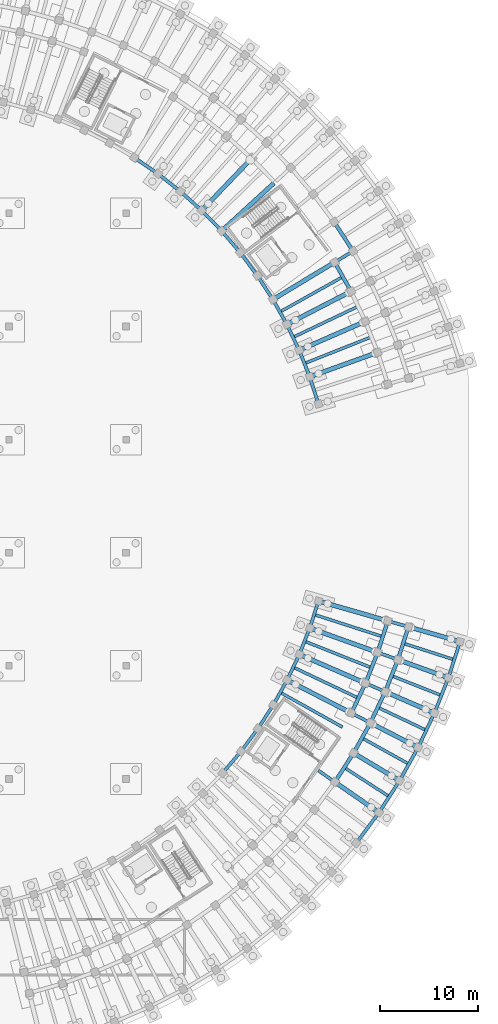
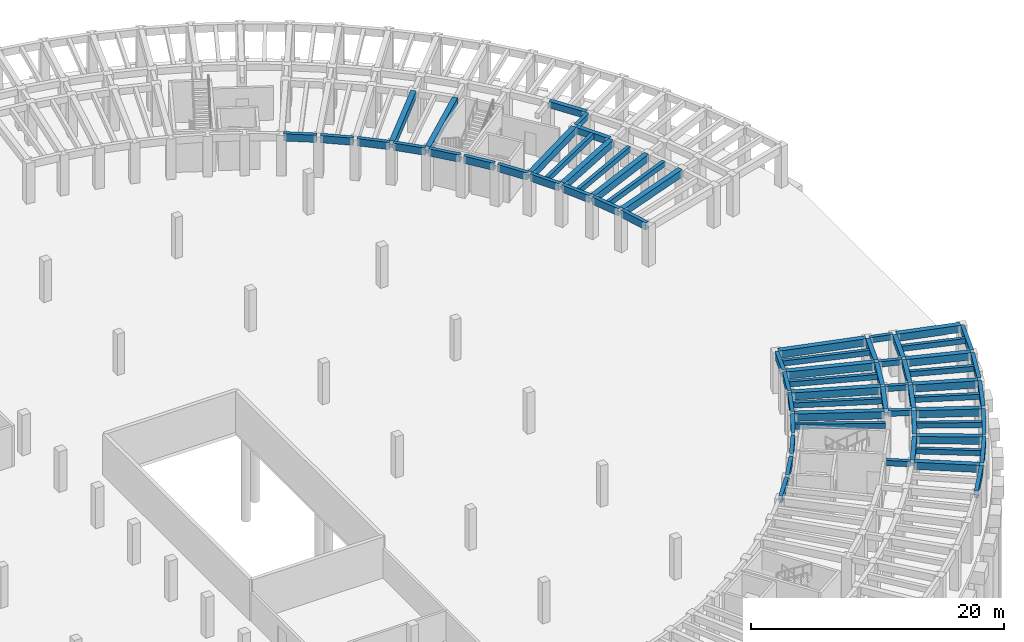
# One storey, part 15 of 29: 68 beams.
"""IFC4 building model written with IfcOpenShell, lengths in metres."""

from ifc_helpers import new_model, si_unit, direction, frame, origin, origin_2d, place, context, subcontext, project, spatial, rectangle, extrude, material, material_profile, profile_set, type_object, element, save


model = new_model("IFC4")

# Units and contexts
model_context = context("Model", 3, precision=1e-05, world=origin(), true_north=direction((0.0, 1.0)))
body_context = subcontext(model_context, "Body", "Model", "MODEL_VIEW")
ifc_project = project(units=[si_unit("LENGTHUNIT", "METRE"), si_unit("AREAUNIT", "SQUARE_METRE"), si_unit("VOLUMEUNIT", "CUBIC_METRE"), si_unit("PLANEANGLEUNIT", "RADIAN"), si_unit("MASSUNIT", "GRAM", prefix="KILO")], contexts=[model_context])

# Site, building, storey
site_placement = place(None, origin())
site = spatial("IfcSite", under=ifc_project, at=site_placement, CompositionType="ELEMENT")
building_placement = place(site_placement, origin())
building = spatial("IfcBuilding", under=site, at=building_placement, Name="Tanwirah Colonnade Gardens", CompositionType="ELEMENT")
storey_placement = place(building_placement, frame((0.0, 0.0, -4.199951171875)))
storey = spatial("IfcBuildingStorey", under=building, at=storey_placement, Name="B1", CompositionType="ELEMENT", Elevation=-4.199951171875)

# Beams
ifc_material_1 = material(Name="Precast concrete C40/50", Category="concrete")
ifc_material_profile_1 = material_profile(ifc_material_1, rectangle(XDim=0.320068359375, YDim=0.52001953125, at=origin_2d()), Name="PC-BM 320x520")
ifc_profile_set_1 = profile_set([ifc_material_profile_1], Name="Precast concrete C40/50")
beam_type_1 = type_object("IfcBeamType", Name="BM-PC320", PredefinedType="BEAM", material=ifc_profile_set_1)
beam_1_placement = place(storey_placement, frame((165.520751953125, 87.068359375, 3.659912109375), z_axis=(0.856174920318, 0.516686080534, 0.0), x_axis=(-0.516686080534, 0.856174920318, 0.0)))
element("IfcBeam", 1, at=beam_1_placement, inside=storey, type_object=beam_type_1, Name="Block B B1 Corridor Tie Beam 4", PredefinedType="BEAM", context=body_context, shape_type="SweptSolid", body=[
    extrude(rectangle(XDim=0.320068359375, YDim=0.52001953125, at=origin_2d()), origin(), (0.0, 0.0, 1.0), 1.89990234375),
])
beam_2_placement = place(storey_placement, frame((163.7255859375, 34.860107421875, 3.659912109375), z_axis=(0.821669163201, -0.569964723684, 0.0), x_axis=(0.569964723684, 0.821669163201, 0.0)))
element("IfcBeam", 2, at=beam_2_placement, inside=storey, type_object=beam_type_1, Name="Block D B1 Corridor Tie Beam 11", PredefinedType="BEAM", context=body_context, shape_type="SweptSolid", body=[
    extrude(rectangle(XDim=0.320068359375, YDim=0.52001953125, at=origin_2d()), origin(), (0.0, 0.0, 1.0), 1.900146484375),
])
beam_3_placement = place(storey_placement, frame((167.22900390625, 40.690673828125, 3.659912109375), z_axis=(0.888965044602, -0.457975053334, 0.0), x_axis=(0.457975053334, 0.888965044602, 0.0)))
element("IfcBeam", 3, at=beam_3_placement, inside=storey, type_object=beam_type_1, Name="Block D B1 Corridor Tie Beam 13", PredefinedType="BEAM", context=body_context, shape_type="SweptSolid", body=[
    extrude(rectangle(XDim=0.320068359375, YDim=0.52001953125, at=origin_2d()), origin(), (0.0, 0.0, 1.0), 1.89990234375),
])
beam_4_placement = place(storey_placement, frame((168.68701171875, 43.76513671875, 3.659912109375), z_axis=(0.917025109963, -0.398829471952, 0.0), x_axis=(0.398829471952, 0.917025109963, 0.0)))
element("IfcBeam", 4, at=beam_4_placement, inside=storey, type_object=beam_type_1, Name="Block D B1 Corridor Tie Beam 14", PredefinedType="BEAM", context=body_context, shape_type="SweptSolid", body=[
    extrude(rectangle(XDim=0.320068359375, YDim=0.52001953125, at=origin_2d()), origin(), (0.0, 0.0, 1.0), 1.900146484375),
])
for number, where, z_axis, x_axis, name in (
    (5, (169.941162109375, 46.92822265625, 3.659912109375), (0.941214575511, -0.337809299525, 0.0), (0.337809299525, 0.941214575511, 0.0), "Block D B1 Corridor Tie Beam 15"),
    (6, (170.985595703125, 50.166748046875, 3.659912109375), (0.961266538157, -0.275620468433, 0.0), (0.275620468433, 0.961266538157, 0.0), "Block D B1 Corridor Tie Beam 16"),
):
    element("IfcBeam", number, at=place(storey_placement, frame(where, z_axis=z_axis, x_axis=x_axis)), inside=storey, type_object=beam_type_1, Name=name, PredefinedType="BEAM", context=body_context, shape_type="SweptSolid", body=[
        extrude(rectangle(XDim=0.320068359375, YDim=0.52001953125, at=origin_2d()), origin(), (0.0, 0.0, 1.0), 1.89990234375),
    ])
ifc_material_profile_2 = material_profile(ifc_material_1, rectangle(XDim=0.3798828125, YDim=0.6201171875, at=origin_2d()), Name="PC-BM 380x620")
ifc_profile_set_2 = profile_set([ifc_material_profile_2], Name="Precast concrete C40/50")
beam_type_2 = type_object("IfcBeamType", Name="BM-PC380", PredefinedType="BEAM", material=ifc_profile_set_2)
beam_5_placement = place(storey_placement, frame((166.98779296875, 84.138671875, 3.60986328125), z_axis=(-0.488200372352, 0.872731571811, 0.0), x_axis=(-0.872731571811, -0.488200372352, 0.0)))
element("IfcBeam", 7, at=beam_5_placement, inside=storey, type_object=beam_type_2, Name="Block B B1 Circumferential Beam 3-R1", PredefinedType="BEAM", context=body_context, shape_type="SweptSolid", body=[
    extrude(rectangle(XDim=0.3798828125, YDim=0.6201171875, at=origin_2d()), origin(), (0.0, 0.0, 1.0), 3.117919921875),
])
beam_6_placement = place(storey_placement, frame((167.194091796875, 88.25341796875, 3.60986328125), z_axis=(-0.544627998385, 0.838677735114, 0.0), x_axis=(-0.838677735114, -0.544627998385, 0.0)))
element("IfcBeam", 8, at=beam_6_placement, inside=storey, type_object=beam_type_2, Name="Block B B1 Circumferential Beam 4-R2", PredefinedType="BEAM", context=body_context, shape_type="SweptSolid", body=[
    extrude(rectangle(XDim=0.3798828125, YDim=0.6201171875, at=origin_2d()), origin(), (0.0, 0.0, 1.0), 3.262939453125),
])
for number, where, z_axis, x_axis, name in (
    (9, (165.491455078125, 33.817626953125, 3.60986328125), (0.542825891173, 0.839845254718, 0.0), (-0.839845254718, 0.542825891173, 0.0), "Block D B1 Circumferential Beam 11-R2"),
    (10, (167.40283203125, 36.793212890625, 3.60986328125), (0.486712025227, 0.873562478875, 0.0), (-0.873562478875, 0.486712025227, 0.0), "Block D B1 Circumferential Beam 12-R2"),
):
    element("IfcBeam", number, at=place(storey_placement, frame(where, z_axis=z_axis, x_axis=x_axis)), inside=storey, type_object=beam_type_2, Name=name, PredefinedType="BEAM", context=body_context, shape_type="SweptSolid", body=[
        extrude(rectangle(XDim=0.3798828125, YDim=0.6201171875, at=origin_2d()), origin(), (0.0, 0.0, 1.0), 3.23681640625),
    ])
beam_7_placement = place(storey_placement, frame((167.159912109375, 40.894775390625, 3.60986328125), z_axis=(0.428520598641, 0.903532011907, 0.0), x_axis=(-0.903532011907, 0.428520598641, 0.0)))
element("IfcBeam", 11, at=beam_7_placement, inside=storey, type_object=beam_type_2, Name="Block D B1 Circumferential Beam 13-R1", PredefinedType="BEAM", context=body_context, shape_type="SweptSolid", body=[
    extrude(rectangle(XDim=0.3798828125, YDim=0.6201171875, at=origin_2d()), origin(), (0.0, 0.0, 1.0), 3.093017578125),
])
beam_8_placement = place(storey_placement, frame((169.11572265625, 39.887451171875, 3.60986328125), z_axis=(0.428562893949, 0.903511951183, 0.0), x_axis=(-0.903511951183, 0.428562893949, 0.0)))
element("IfcBeam", 12, at=beam_8_placement, inside=storey, type_object=beam_type_2, Name="Block D B1 Circumferential Beam 13-R2", PredefinedType="BEAM", context=body_context, shape_type="SweptSolid", body=[
    extrude(rectangle(XDim=0.3798828125, YDim=0.6201171875, at=origin_2d()), origin(), (0.0, 0.0, 1.0), 3.23681640625),
])
beam_9_placement = place(storey_placement, frame((168.604736328125, 43.96435546875, 3.60986328125), z_axis=(0.368544574427, 0.929610077753, 0.0), x_axis=(-0.929610077753, 0.368544574427, 0.0)))
element("IfcBeam", 13, at=beam_9_placement, inside=storey, type_object=beam_type_2, Name="Block D B1 Circumferential Beam 14-R1", PredefinedType="BEAM", context=body_context, shape_type="SweptSolid", body=[
    extrude(rectangle(XDim=0.3798828125, YDim=0.6201171875, at=origin_2d()), origin(), (0.0, 0.0, 1.0), 3.093017578125),
])
beam_10_placement = place(storey_placement, frame((170.622314453125, 43.087158203125, 3.60986328125), z_axis=(0.368527954052, 0.929616666741, 0.0), x_axis=(-0.929616666741, 0.368527954052, 0.0)))
element("IfcBeam", 14, at=beam_10_placement, inside=storey, type_object=beam_type_2, Name="Block D B1 Circumferential Beam 14-R2", PredefinedType="BEAM", context=body_context, shape_type="SweptSolid", body=[
    extrude(rectangle(XDim=0.3798828125, YDim=0.6201171875, at=origin_2d()), origin(), (0.0, 0.0, 1.0), 3.23681640625),
])
beam_11_placement = place(storey_placement, frame((169.845947265625, 47.121826171875, 3.60986328125), z_axis=(0.306977410573, 0.951716801048, 0.0), x_axis=(-0.951716801048, 0.306977410573, 0.0)))
element("IfcBeam", 15, at=beam_11_placement, inside=storey, type_object=beam_type_2, Name="Block D B1 Circumferential Beam 15-R1", PredefinedType="BEAM", context=body_context, shape_type="SweptSolid", body=[
    extrude(rectangle(XDim=0.3798828125, YDim=0.6201171875, at=origin_2d()), origin(), (0.0, 0.0, 1.0), 3.093017578125),
])
beam_12_placement = place(storey_placement, frame((171.91650390625, 46.37841796875, 3.60986328125), z_axis=(0.306980742305, 0.951715726388, 0.0), x_axis=(-0.951715726388, 0.306980742305, 0.0)))
element("IfcBeam", 16, at=beam_12_placement, inside=storey, type_object=beam_type_2, Name="Block D B1 Circumferential Beam 15-R2", PredefinedType="BEAM", context=body_context, shape_type="SweptSolid", body=[
    extrude(rectangle(XDim=0.3798828125, YDim=0.6201171875, at=origin_2d()), origin(), (0.0, 0.0, 1.0), 3.23681640625),
])
ifc_material_2 = material(Name="Precast concrete C45/55", Category="concrete")
ifc_material_profile_3 = material_profile(ifc_material_2, rectangle(XDim=0.449951171875, YDim=0.699951171875, at=origin_2d()), Name="PC-BM 450x700")
ifc_profile_set_3 = profile_set([ifc_material_profile_3], Name="Precast concrete C45/55")
beam_type_3 = type_object("IfcBeamType", Name="BM-PC450", PredefinedType="BEAM", material=ifc_profile_set_3)
beam_13_placement = place(storey_placement, frame((169.650390625, 77.69384765625, 3.570068359375), z_axis=(-0.941016219432, -0.338361455792, 0.0), x_axis=(0.338361455792, -0.941016219432, 0.0)))
element("IfcBeam", 17, at=beam_13_placement, inside=storey, type_object=beam_type_3, Name="Block B B1 Inner Radial Precast Girder 1", PredefinedType="BEAM", context=body_context, shape_type="SweptSolid", body=[
    extrude(rectangle(XDim=0.449951171875, YDim=0.699951171875, at=origin_2d()), origin(), (0.0, 0.0, 1.0), 7.099853515625),
])
for number, where, z_axis, x_axis, name in (
    (18, (168.39208984375, 80.861328125, 3.570068359375), (-0.916678201221, -0.399626169571, 0.0), (0.399626169571, -0.916678201221, 0.0), "Block B B1 Inner Radial Precast Girder 2"),
    (19, (166.927734375, 83.93896484375, 3.570068359375), (-0.888342925962, -0.459180624475, 0.0), (0.459180624475, -0.888342925962, 0.0), "Block B B1 Inner Radial Precast Girder 3"),
    (20, (165.263916015625, 86.913330078125, 3.570068359375), (-0.856176383701, -0.516683655628, 0.0), (0.516683655628, -0.856176383701, 0.0), "Block B B1 Inner Radial Precast Girder 4"),
    (21, (159.151123046875, 95.091064453125, 3.570068359375), (-0.737918718777, -0.674889594288, 0.0), (0.674889594288, -0.737918718777, 0.0), "Block B B1 Inner Radial Precast Girder 7"),
):
    element("IfcBeam", number, at=place(storey_placement, frame(where, z_axis=z_axis, x_axis=x_axis)), inside=storey, type_object=beam_type_3, Name=name, PredefinedType="BEAM", context=body_context, shape_type="SweptSolid", body=[
        extrude(rectangle(XDim=0.449951171875, YDim=0.699951171875, at=origin_2d()), origin(), (0.0, 0.0, 1.0), 7.10009765625),
    ])
beam_14_placement = place(storey_placement, frame((156.769287109375, 97.52880859375, 3.570068359375), z_axis=(-0.691867272012, -0.722024707278, 0.0), x_axis=(0.722024707278, -0.691867272012, 0.0)))
element("IfcBeam", 22, at=beam_14_placement, inside=storey, type_object=beam_type_3, Name="Block B B1 Inner Radial Precast Girder 8", PredefinedType="BEAM", context=body_context, shape_type="SweptSolid", body=[
    extrude(rectangle(XDim=0.449951171875, YDim=0.699951171875, at=origin_2d()), origin(), (0.0, 0.0, 1.0), 7.099853515625),
])
beam_15_placement = place(storey_placement, frame((165.533203125, 33.606201171875, 3.570068359375), z_axis=(0.821644204852, -0.570000702309, 0.0), x_axis=(0.570000702309, 0.821644204852, 0.0)))
element("IfcBeam", 23, at=beam_15_placement, inside=storey, type_object=beam_type_3, Name="Block D B1 Outer Radial Precast Girder 11", PredefinedType="BEAM", context=body_context, shape_type="SweptSolid", body=[
    extrude(rectangle(XDim=0.449951171875, YDim=0.699951171875, at=origin_2d()), origin(), (0.0, 0.0, 1.0), 5.2001953125),
])
beam_16_placement = place(storey_placement, frame((167.45849609375, 36.5849609375, 3.570068359375), z_axis=(0.857165483371, -0.515041099445, 0.0), x_axis=(0.515041099445, 0.857165483371, 0.0)))
element("IfcBeam", 24, at=beam_16_placement, inside=storey, type_object=beam_type_3, Name="Block D B1 Outer Radial Precast Girder 12", PredefinedType="BEAM", context=body_context, shape_type="SweptSolid", body=[
    extrude(rectangle(XDim=0.449951171875, YDim=0.699951171875, at=origin_2d()), origin(), (0.0, 0.0, 1.0), 5.199951171875),
])
beam_17_placement = place(storey_placement, frame((166.962158203125, 40.827880859375, 3.570068359375), z_axis=(-0.889012732153, 0.457882476265, 0.0), x_axis=(-0.457882476265, -0.889012732153, 0.0)))
element("IfcBeam", 25, at=beam_17_placement, inside=storey, type_object=beam_type_3, Name="Block D B1 Inner Radial Precast Girder 13", PredefinedType="BEAM", context=body_context, shape_type="SweptSolid", body=[
    extrude(rectangle(XDim=0.449951171875, YDim=0.699951171875, at=origin_2d()), origin(), (0.0, 0.0, 1.0), 7.10009765625),
])
beam_18_placement = place(storey_placement, frame((169.184814453125, 39.683349609375, 3.570068359375), z_axis=(0.889001198624, -0.457904868771, 0.0), x_axis=(0.457904868771, 0.889001198624, 0.0)))
element("IfcBeam", 26, at=beam_18_placement, inside=storey, type_object=beam_type_3, Name="Block D B1 Outer Radial Precast Girder 13", PredefinedType="BEAM", context=body_context, shape_type="SweptSolid", body=[
    extrude(rectangle(XDim=0.449951171875, YDim=0.699951171875, at=origin_2d()), origin(), (0.0, 0.0, 1.0), 5.199951171875),
])
beam_19_placement = place(storey_placement, frame((168.412109375, 43.884765625, 3.570068359375), z_axis=(-0.917065682823, 0.398736170154, 0.0), x_axis=(-0.398736170154, -0.917065682823, 0.0)))
element("IfcBeam", 27, at=beam_19_placement, inside=storey, type_object=beam_type_3, Name="Block D B1 Inner Radial Precast Girder 14", PredefinedType="BEAM", context=body_context, shape_type="SweptSolid", body=[
    extrude(rectangle(XDim=0.449951171875, YDim=0.699951171875, at=origin_2d()), origin(), (0.0, 0.0, 1.0), 7.10009765625),
])
beam_20_placement = place(storey_placement, frame((170.70458984375, 42.8876953125, 3.570068359375), z_axis=(0.917063338398, -0.398741562126, 0.0), x_axis=(0.398741562126, 0.917063338398, 0.0)))
element("IfcBeam", 28, at=beam_20_placement, inside=storey, type_object=beam_type_3, Name="Block D B1 Outer Radial Precast Girder 14", PredefinedType="BEAM", context=body_context, shape_type="SweptSolid", body=[
    extrude(rectangle(XDim=0.449951171875, YDim=0.699951171875, at=origin_2d()), origin(), (0.0, 0.0, 1.0), 5.2001953125),
])
beam_21_placement = place(storey_placement, frame((169.65869140625, 47.02978515625, 3.570068359375), z_axis=(-0.941174201015, 0.33792177104, 0.0), x_axis=(-0.33792177104, -0.941174201015, 0.0)))
element("IfcBeam", 29, at=beam_21_placement, inside=storey, type_object=beam_type_3, Name="Block D B1 Inner Radial Precast Girder 15", PredefinedType="BEAM", context=body_context, shape_type="SweptSolid", body=[
    extrude(rectangle(XDim=0.449951171875, YDim=0.699951171875, at=origin_2d()), origin(), (0.0, 0.0, 1.0), 7.099853515625),
])
beam_22_placement = place(storey_placement, frame((172.01171875, 46.184814453125, 3.570068359375), z_axis=(0.941179739589, -0.337906344698, 0.0), x_axis=(0.337906344698, 0.941179739589, 0.0)))
element("IfcBeam", 30, at=beam_22_placement, inside=storey, type_object=beam_type_3, Name="Block D B1 Outer Radial Precast Girder 15", PredefinedType="BEAM", context=body_context, shape_type="SweptSolid", body=[
    extrude(rectangle(XDim=0.449951171875, YDim=0.699951171875, at=origin_2d()), origin(), (0.0, 0.0, 1.0), 5.199951171875),
])
beam_23_placement = place(storey_placement, frame((170.697265625, 50.24951171875, 3.570068359375), z_axis=(-0.961261397636, 0.275638396117, 0.0), x_axis=(-0.275638396117, -0.961261397636, 0.0)))
element("IfcBeam", 31, at=beam_23_placement, inside=storey, type_object=beam_type_3, Name="Block D B1 Inner Radial Precast Girder 16", PredefinedType="BEAM", context=body_context, shape_type="SweptSolid", body=[
    extrude(rectangle(XDim=0.449951171875, YDim=0.699951171875, at=origin_2d()), origin(), (0.0, 0.0, 1.0), 7.10009765625),
])
beam_24_placement = place(storey_placement, frame((173.100341796875, 49.560546875, 3.570068359375), z_axis=(0.961259519271, -0.275644946646, 0.0), x_axis=(0.275644946646, 0.961259519271, 0.0)))
element("IfcBeam", 32, at=beam_24_placement, inside=storey, type_object=beam_type_3, Name="Block D B1 Outer Radial Precast Girder 16", PredefinedType="BEAM", context=body_context, shape_type="SweptSolid", body=[
    extrude(rectangle(XDim=0.449951171875, YDim=0.699951171875, at=origin_2d()), origin(), (0.0, 0.0, 1.0), 5.199951171875),
])
ifc_material_profile_4 = material_profile(ifc_material_1, rectangle(XDim=0.300048828125, YDim=0.5, at=origin_2d()), Name="PC-JST 300x500")
ifc_profile_set_4 = profile_set([ifc_material_profile_4], Name="Precast concrete C40/50")
beam_type_4 = type_object("IfcBeamType", Name="JST-PC300", PredefinedType="JOIST", material=ifc_profile_set_4)
for number, where, z_axis, x_axis, name in (
    (33, (162.4208984375, 76.655517578125, 3.669921875), (0.929348880779, 0.369202732649, 0.0), (-0.369202732649, 0.929348880779, 0.0), "Block B B1 Inner Precast Floor Joist 1"),
    (34, (161.246826171875, 79.348876953125, 3.669921875), (0.903005429363, 0.429629136048, 0.0), (-0.429629136048, 0.903005429363, 0.0), "Block B B1 Inner Precast Floor Joist 2"),
    (35, (159.897705078125, 81.958984375, 3.669921875), (0.872726875563, 0.488208767506, 0.0), (-0.488208767506, 0.872726875563, 0.0), "Block B B1 Inner Precast Floor Joist 3"),
):
    element("IfcBeam", number, at=place(storey_placement, frame(where, z_axis=z_axis, x_axis=x_axis)), inside=storey, type_object=beam_type_4, Name=name, PredefinedType="JOIST", context=body_context, shape_type="SweptSolid", body=[
        extrude(rectangle(XDim=0.300048828125, YDim=0.5, at=origin_2d()), origin(), (0.0, 0.0, 1.0), 7.16015625),
    ])
for number, where, z_axis, x_axis, name in (
    (36, (166.4951171875, 35.09619140625, 3.669921875), (0.839842770955, -0.542829733963, 0.0), (0.542829733963, 0.839842770955, 0.0), "Block D B1 Precast Floor Joist 11"),
    (37, (168.32080078125, 38.134521484375, 3.669921875), (0.87356769437, -0.486702664214, 0.0), (0.486702664214, 0.87356769437, 0.0), "Block D B1 Precast Floor Joist 12"),
):
    element("IfcBeam", number, at=place(storey_placement, frame(where, z_axis=z_axis, x_axis=x_axis)), inside=storey, type_object=beam_type_4, Name=name, PredefinedType="JOIST", context=body_context, shape_type="SweptSolid", body=[
        extrude(rectangle(XDim=0.300048828125, YDim=0.5, at=origin_2d()), origin(), (0.0, 0.0, 1.0), 5.260009765625),
    ])
beam_25_placement = place(storey_placement, frame((159.9345703125, 42.80712890625, 3.669921875), z_axis=(0.873559899034, -0.486716655561, 0.0), x_axis=(0.486716655561, 0.873559899034, 0.0)))
element("IfcBeam", 38, at=beam_25_placement, inside=storey, type_object=beam_type_4, Name="Block D B1 Inner Precast Floor Joist 12", PredefinedType="JOIST", context=body_context, shape_type="SweptSolid", body=[
    extrude(rectangle(XDim=0.300048828125, YDim=0.5, at=origin_2d()), origin(), (0.0, 0.0, 1.0), 7.159912109375),
])
beam_26_placement = place(storey_placement, frame((169.94384765625, 41.285888671875, 3.669921875), z_axis=(0.903517509842, -0.428551174785, 0.0), x_axis=(0.428551174785, 0.903517509842, 0.0)))
element("IfcBeam", 39, at=beam_26_placement, inside=storey, type_object=beam_type_4, Name="Block D B1 Precast Floor Joist 13", PredefinedType="JOIST", context=body_context, shape_type="SweptSolid", body=[
    extrude(rectangle(XDim=0.300048828125, YDim=0.5, at=origin_2d()), origin(), (0.0, 0.0, 1.0), 5.260009765625),
])
beam_27_placement = place(storey_placement, frame((161.27001953125, 45.39990234375, 3.669921875), z_axis=(0.903522492189, -0.428540670308, 0.0), x_axis=(0.428540670308, 0.903522492189, 0.0)))
element("IfcBeam", 40, at=beam_27_placement, inside=storey, type_object=beam_type_4, Name="Block D B1 Inner Precast Floor Joist 13", PredefinedType="JOIST", context=body_context, shape_type="SweptSolid", body=[
    extrude(rectangle(XDim=0.300048828125, YDim=0.5, at=origin_2d()), origin(), (0.0, 0.0, 1.0), 7.159912109375),
])
beam_28_placement = place(storey_placement, frame((171.357177734375, 44.53662109375, 3.669921875), z_axis=(0.929618207145, -0.368524068338, 0.0), x_axis=(0.368524068338, 0.929618207145, 0.0)))
element("IfcBeam", 41, at=beam_28_placement, inside=storey, type_object=beam_type_4, Name="Block D B1 Precast Floor Joist 14", PredefinedType="JOIST", context=body_context, shape_type="SweptSolid", body=[
    extrude(rectangle(XDim=0.300048828125, YDim=0.5, at=origin_2d()), origin(), (0.0, 0.0, 1.0), 5.260009765625),
])
beam_29_placement = place(storey_placement, frame((162.432861328125, 48.07470703125, 3.669921875), z_axis=(0.929619798141, -0.368520054956, 0.0), x_axis=(0.368520054956, 0.929619798141, 0.0)))
element("IfcBeam", 42, at=beam_29_placement, inside=storey, type_object=beam_type_4, Name="Block D B1 Inner Precast Floor Joist 14", PredefinedType="JOIST", context=body_context, shape_type="SweptSolid", body=[
    extrude(rectangle(XDim=0.300048828125, YDim=0.5, at=origin_2d()), origin(), (0.0, 0.0, 1.0), 7.16015625),
])
beam_30_placement = place(storey_placement, frame((172.55517578125, 47.873046875, 3.669921875), z_axis=(0.95172917624, -0.30693904133, 0.0), x_axis=(0.30693904133, 0.95172917624, 0.0)))
element("IfcBeam", 43, at=beam_30_placement, inside=storey, type_object=beam_type_4, Name="Block D B1 Precast Floor Joist 15", PredefinedType="JOIST", context=body_context, shape_type="SweptSolid", body=[
    extrude(rectangle(XDim=0.300048828125, YDim=0.5, at=origin_2d()), origin(), (0.0, 0.0, 1.0), 5.260009765625),
])
beam_31_placement = place(storey_placement, frame((163.41845703125, 50.819580078125, 3.669921875), z_axis=(0.951727255502, -0.30694499692, 0.0), x_axis=(0.30694499692, 0.951727255502, 0.0)))
element("IfcBeam", 44, at=beam_31_placement, inside=storey, type_object=beam_type_4, Name="Block D B1 Inner Precast Floor Joist 15", PredefinedType="JOIST", context=body_context, shape_type="SweptSolid", body=[
    extrude(rectangle(XDim=0.300048828125, YDim=0.5, at=origin_2d()), origin(), (0.0, 0.0, 1.0), 7.16015625),
])
ifc_material_profile_5 = material_profile(ifc_material_1, rectangle(XDim=0.324951171875, YDim=0.68505859375, at=origin_2d()), Name="PC-SP 325x685")
ifc_profile_set_5 = profile_set([ifc_material_profile_5], Name="Precast concrete C40/50")
beam_type_5 = type_object("IfcBeamType", Name="SP-PC260", PredefinedType="SPANDREL", material=ifc_profile_set_5)
beam_32_placement = place(storey_placement, frame((153.999755859375, 34.7275390625, 3.577392578125), z_axis=(0.647811402053, 0.761800753065, 0.0), x_axis=(-0.761800753065, 0.647811402053, 0.0)))
element("IfcBeam", 45, at=beam_32_placement, inside=storey, type_object=beam_type_5, Name="Block D B1 Circumferential Beam 9-R0", PredefinedType="SPANDREL", context=body_context, shape_type="SweptSolid", body=[
    extrude(rectangle(XDim=0.324951171875, YDim=0.68505859375, at=origin_2d()), origin(), (0.0, 0.0, 1.0), 2.608642578125),
])
beam_33_placement = place(storey_placement, frame((155.87646484375, 36.94970703125, 3.577392578125), z_axis=(0.596565220249, 0.802564600508, 0.0), x_axis=(-0.802564600508, 0.596565220249, 0.0)))
element("IfcBeam", 46, at=beam_33_placement, inside=storey, type_object=beam_type_5, Name="Block D B1 Circumferential Beam 10-R0", PredefinedType="SPANDREL", context=body_context, shape_type="SweptSolid", body=[
    extrude(rectangle(XDim=0.324951171875, YDim=0.68505859375, at=origin_2d()), origin(), (0.0, 0.0, 1.0), 2.6083984375),
])
beam_34_placement = place(storey_placement, frame((167.69384765625, 27.549560546875, 3.577392578125), z_axis=(0.596562665898, 0.802566499212, 0.0), x_axis=(-0.802566499212, 0.596562665898, 0.0)))
element("IfcBeam", 47, at=beam_34_placement, inside=storey, type_object=beam_type_5, Name="Block D B1 Circumferential Beam 10-R3", PredefinedType="SPANDREL", context=body_context, shape_type="SweptSolid", body=[
    extrude(rectangle(XDim=0.324951171875, YDim=0.68505859375, at=origin_2d()), origin(), (0.0, 0.0, 1.0), 3.596923828125),
])
beam_35_placement = place(storey_placement, frame((157.603515625, 39.28955078125, 3.577392578125), z_axis=(0.542874837406, 0.83981361677, 0.0), x_axis=(-0.83981361677, 0.542874837406, 0.0)))
element("IfcBeam", 48, at=beam_35_placement, inside=storey, type_object=beam_type_5, Name="Block D B1 Circumferential Beam 11-R0", PredefinedType="SPANDREL", context=body_context, shape_type="SweptSolid", body=[
    extrude(rectangle(XDim=0.324951171875, YDim=0.68505859375, at=origin_2d()), origin(), (0.0, 0.0, 1.0), 2.60888671875),
])
beam_36_placement = place(storey_placement, frame((170.010498046875, 30.6826171875, 3.577392578125), z_axis=(0.542786838894, 0.839870494495, 0.0), x_axis=(-0.839870494495, 0.542786838894, 0.0)))
element("IfcBeam", 49, at=beam_36_placement, inside=storey, type_object=beam_type_5, Name="Block D B1 Circumferential Beam 11-R3", PredefinedType="SPANDREL", context=body_context, shape_type="SweptSolid", body=[
    extrude(rectangle(XDim=0.324951171875, YDim=0.68505859375, at=origin_2d()), origin(), (0.0, 0.0, 1.0), 3.596923828125),
])
beam_37_placement = place(storey_placement, frame((159.174072265625, 41.737548828125, 3.577392578125), z_axis=(0.486747049114, 0.873542964129, 0.0), x_axis=(-0.873542964129, 0.486747049114, 0.0)))
element("IfcBeam", 50, at=beam_37_placement, inside=storey, type_object=beam_type_5, Name="Block D B1 Circumferential Beam 12-R0", PredefinedType="SPANDREL", context=body_context, shape_type="SweptSolid", body=[
    extrude(rectangle(XDim=0.324951171875, YDim=0.68505859375, at=origin_2d()), origin(), (0.0, 0.0, 1.0), 2.608642578125),
])
beam_38_placement = place(storey_placement, frame((172.117431640625, 33.96044921875, 3.577392578125), z_axis=(0.486679958674, 0.87358034423, 0.0), x_axis=(-0.87358034423, 0.486679958674, 0.0)))
element("IfcBeam", 51, at=beam_38_placement, inside=storey, type_object=beam_type_5, Name="Block D B1 Circumferential Beam 12-R3", PredefinedType="SPANDREL", context=body_context, shape_type="SweptSolid", body=[
    extrude(rectangle(XDim=0.324951171875, YDim=0.68505859375, at=origin_2d()), origin(), (0.0, 0.0, 1.0), 3.5966796875),
])
beam_39_placement = place(storey_placement, frame((160.5810546875, 44.282958984375, 3.577392578125), z_axis=(0.428512709915, 0.903535753272, 0.0), x_axis=(-0.903535753272, 0.428512709915, 0.0)))
element("IfcBeam", 52, at=beam_39_placement, inside=storey, type_object=beam_type_5, Name="Block D B1 Circumferential Beam 13-R0", PredefinedType="SPANDREL", context=body_context, shape_type="SweptSolid", body=[
    extrude(rectangle(XDim=0.324951171875, YDim=0.68505859375, at=origin_2d()), origin(), (0.0, 0.0, 1.0), 2.60888671875),
])
beam_40_placement = place(storey_placement, frame((174.00537109375, 37.369140625, 3.577392578125), z_axis=(0.428518139447, 0.903533178231, 0.0), x_axis=(-0.903533178231, 0.428518139447, 0.0)))
element("IfcBeam", 53, at=beam_40_placement, inside=storey, type_object=beam_type_5, Name="Block D B1 Circumferential Beam 13-R3", PredefinedType="SPANDREL", context=body_context, shape_type="SweptSolid", body=[
    extrude(rectangle(XDim=0.324951171875, YDim=0.68505859375, at=origin_2d()), origin(), (0.0, 0.0, 1.0), 3.5966796875),
])
beam_41_placement = place(storey_placement, frame((161.818603515625, 46.9150390625, 3.577392578125), z_axis=(0.368549031306, 0.929608310808, 0.0), x_axis=(-0.929608310808, 0.368549031306, 0.0)))
element("IfcBeam", 54, at=beam_41_placement, inside=storey, type_object=beam_type_5, Name="Block D B1 Circumferential Beam 14-R0", PredefinedType="SPANDREL", context=body_context, shape_type="SweptSolid", body=[
    extrude(rectangle(XDim=0.324951171875, YDim=0.68505859375, at=origin_2d()), origin(), (0.0, 0.0, 1.0), 2.608642578125),
])
beam_42_placement = place(storey_placement, frame((175.666259765625, 40.89404296875, 3.577392578125), z_axis=(0.368521552478, 0.929619204491, 0.0), x_axis=(-0.929619204491, 0.368521552478, 0.0)))
element("IfcBeam", 55, at=beam_42_placement, inside=storey, type_object=beam_type_5, Name="Block D B1 Circumferential Beam 14-R3", PredefinedType="SPANDREL", context=body_context, shape_type="SweptSolid", body=[
    extrude(rectangle(XDim=0.324951171875, YDim=0.68505859375, at=origin_2d()), origin(), (0.0, 0.0, 1.0), 3.5966796875),
])
beam_43_placement = place(storey_placement, frame((162.88134765625, 49.622314453125, 3.577392578125), z_axis=(0.306948094518, 0.951726256479, 0.0), x_axis=(-0.951726256479, 0.306948094518, 0.0)))
element("IfcBeam", 56, at=beam_43_placement, inside=storey, type_object=beam_type_5, Name="Block D B1 Circumferential Beam 15-R0", PredefinedType="SPANDREL", context=body_context, shape_type="SweptSolid", body=[
    extrude(rectangle(XDim=0.324951171875, YDim=0.68505859375, at=origin_2d()), origin(), (0.0, 0.0, 1.0), 2.60888671875),
])
beam_44_placement = place(storey_placement, frame((177.093017578125, 44.519775390625, 3.577392578125), z_axis=(0.306927419976, 0.951732924127, 0.0), x_axis=(-0.951732924127, 0.306927419976, 0.0)))
element("IfcBeam", 57, at=beam_44_placement, inside=storey, type_object=beam_type_5, Name="Block D B1 Circumferential Beam 15-R3", PredefinedType="SPANDREL", context=body_context, shape_type="SweptSolid", body=[
    extrude(rectangle(XDim=0.324951171875, YDim=0.68505859375, at=origin_2d()), origin(), (0.0, 0.0, 1.0), 3.596923828125),
])
ifc_material_profile_6 = material_profile(ifc_material_1, rectangle(XDim=0.3349609375, YDim=0.695068359375, at=origin_2d()), Name="PC-SP 335x695")
ifc_profile_set_6 = profile_set([ifc_material_profile_6], Name="Precast concrete C40/50")
beam_type_6 = type_object("IfcBeamType", Name="SP-PC300", PredefinedType="SPANDREL", material=ifc_profile_set_6)
beam_45_placement = place(storey_placement, frame((163.681884765625, 72.5947265625, 3.572509765625), z_axis=(-0.307135661902, 0.951665742363, 0.0), x_axis=(-0.951665742363, -0.307135661902, 0.0)))
element("IfcBeam", 58, at=beam_45_placement, inside=storey, type_object=beam_type_6, Name="Block B B1 Circumferential Beam 0-R0", PredefinedType="SPANDREL", context=body_context, shape_type="SweptSolid", body=[
    extrude(rectangle(XDim=0.3349609375, YDim=0.695068359375, at=origin_2d()), origin(), (0.0, 0.0, 1.0), 2.63037109375),
])
beam_46_placement = place(storey_placement, frame((162.772705078125, 75.380126953125, 3.572509765625), z_axis=(-0.369245181709, 0.929332015904, 0.0), x_axis=(-0.929332015904, -0.369245181709, 0.0)))
element("IfcBeam", 59, at=beam_46_placement, inside=storey, type_object=beam_type_6, Name="Block B B1 Circumferential Beam 1-R0", PredefinedType="SPANDREL", context=body_context, shape_type="SweptSolid", body=[
    extrude(rectangle(XDim=0.3349609375, YDim=0.695068359375, at=origin_2d()), origin(), (0.0, 0.0, 1.0), 2.630126953125),
])
beam_47_placement = place(storey_placement, frame((161.681640625, 78.099365234375, 3.572509765625), z_axis=(-0.42964173036, 0.902999437172, 0.0), x_axis=(-0.902999437172, -0.42964173036, 0.0)))
element("IfcBeam", 60, at=beam_47_placement, inside=storey, type_object=beam_type_6, Name="Block B B1 Circumferential Beam 2-R0", PredefinedType="SPANDREL", context=body_context, shape_type="SweptSolid", body=[
    extrude(rectangle(XDim=0.3349609375, YDim=0.695068359375, at=origin_2d()), origin(), (0.0, 0.0, 1.0), 2.63037109375),
])
beam_48_placement = place(storey_placement, frame((160.413818359375, 80.740966796875, 3.572509765625), z_axis=(-0.488170837957, 0.872748092503, 0.0), x_axis=(-0.872748092503, -0.488170837957, 0.0)))
element("IfcBeam", 61, at=beam_48_placement, inside=storey, type_object=beam_type_6, Name="Block B B1 Circumferential Beam 3-R0", PredefinedType="SPANDREL", context=body_context, shape_type="SweptSolid", body=[
    extrude(rectangle(XDim=0.3349609375, YDim=0.695068359375, at=origin_2d()), origin(), (0.0, 0.0, 1.0), 2.630126953125),
])
for number, where, z_axis, x_axis, name in (
    (62, (158.974853515625, 83.29296875, 3.572509765625), (-0.544570677829, 0.838714955661, 0.0), (-0.838714955661, -0.544570677829, 0.0), "Block B B1 Circumferential Beam 4-R0"),
    (63, (157.370849609375, 85.744873046875, 3.572509765625), (-0.598662613551, 0.80100129534, 0.0), (-0.80100129534, -0.598662613551, 0.0), "Block B B1 Circumferential Beam 5-R0"),
):
    element("IfcBeam", number, at=place(storey_placement, frame(where, z_axis=z_axis, x_axis=x_axis)), inside=storey, type_object=beam_type_6, Name=name, PredefinedType="SPANDREL", context=body_context, shape_type="SweptSolid", body=[
        extrude(rectangle(XDim=0.3349609375, YDim=0.695068359375, at=origin_2d()), origin(), (0.0, 0.0, 1.0), 2.63037109375),
    ])
for number, where, z_axis, x_axis, name in (
    (64, (155.60888671875, 88.0859375, 3.572509765625), (-0.650217875778, 0.759747796323, 0.0), (-0.759747796323, -0.650217875778, 0.0), "Block B B1 Circumferential Beam 6-R0"),
    (65, (153.6962890625, 90.305419921875, 3.572509765625), (-0.698844462704, 0.715273665772, 0.0), (-0.715273665772, -0.698844462704, 0.0), "Block B B1 Circumferential Beam 7-R0"),
):
    element("IfcBeam", number, at=place(storey_placement, frame(where, z_axis=z_axis, x_axis=x_axis)), inside=storey, type_object=beam_type_6, Name=name, PredefinedType="SPANDREL", context=body_context, shape_type="SweptSolid", body=[
        extrude(rectangle(XDim=0.3349609375, YDim=0.695068359375, at=origin_2d()), origin(), (0.0, 0.0, 1.0), 2.630126953125),
    ])
for number, where, z_axis, x_axis, name in (
    (66, (151.6416015625, 92.394287109375, 3.572509765625), (-0.744400790288, 0.667733077972, 0.0), (-0.667733077972, -0.744400790288, 0.0), "Block B B1 Circumferential Beam 8-R0"),
    (67, (149.453857421875, 94.34326171875, 3.572509765625), (-0.786836625031, 0.617161344795, 0.0), (-0.617161344795, -0.786836625031, 0.0), "Block B B1 Circumferential Beam 9-R0"),
    (68, (147.142578125, 96.143798828125, 3.572509765625), (-0.825800981874, 0.563961646158, 0.0), (-0.563961646158, -0.825800981874, 0.0), "Block B B1 Circumferential Beam 10-R0"),
):
    element("IfcBeam", number, at=place(storey_placement, frame(where, z_axis=z_axis, x_axis=x_axis)), inside=storey, type_object=beam_type_6, Name=name, PredefinedType="SPANDREL", context=body_context, shape_type="SweptSolid", body=[
        extrude(rectangle(XDim=0.3349609375, YDim=0.695068359375, at=origin_2d()), origin(), (0.0, 0.0, 1.0), 2.63037109375),
    ])

save(model, "model.ifc")
